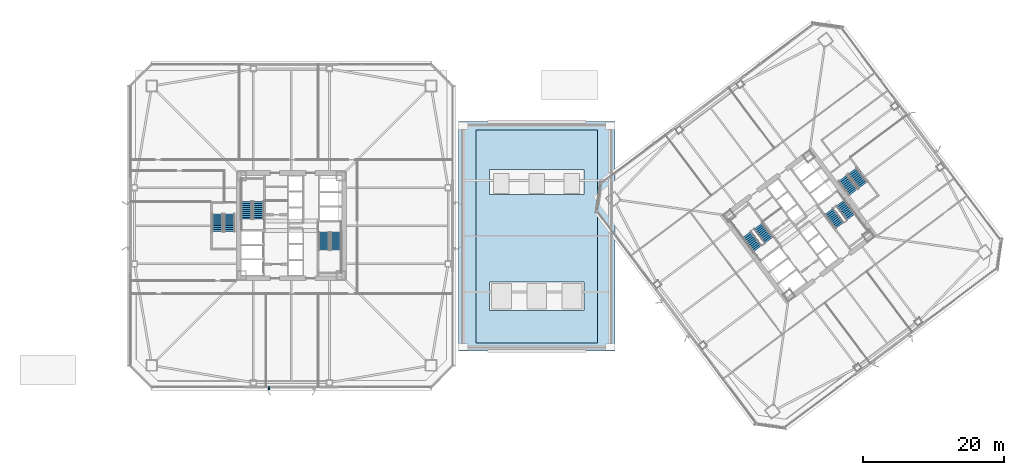
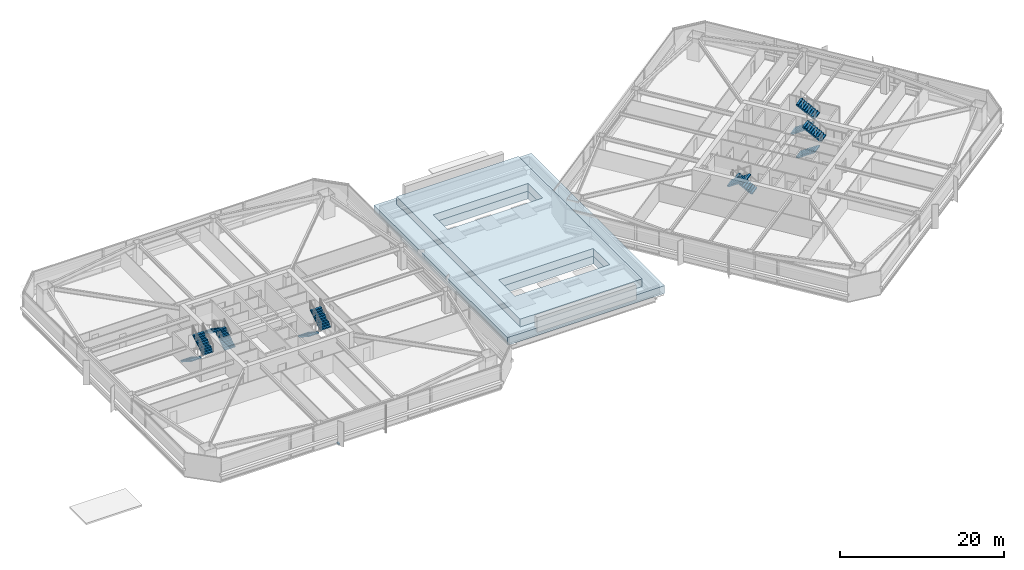
# One storey, part 48 of 62: 12 stair flights, 2 roofs, 1 discrete accessory, 6 elements without a shape of their own.
"""IFC4 building model written with IfcOpenShell, lengths in metres."""

import ifcopenshell
import ifcopenshell.guid

model = None  # the IFC model being written
_history = None  # IfcOwnerHistory: only IFC2X3 demands one
_inside = {}  # id of a spatial element -> (the spatial element, [elements in it])
_under = {}  # id of a project, library or spatial element -> (it, [spatial elements below it])
_declared = {}  # id of a project -> (the project, [libraries it declares])
_typed = {}  # id of a type object -> (the type object, [elements of that type])
_made_of = {}  # id of a material, layer set ... -> (it, [elements and type objects made of it])


def new_model(schema):
    """Start an empty IFC model of exactly this schema.

    Asked for "IFC4X3", IfcOpenShell would pick the latest addendum, in which some entities
    have other attributes; the version numbers below select the first issue.
    IFC2X3 requires an IfcOwnerHistory on every rooted entity: one is made here for all.
    """
    global model, _history
    if schema == "IFC4X3":
        model = ifcopenshell.file(schema_version=(4, 3, 0, 0))
    else:
        model = ifcopenshell.file(schema=schema)
    _inside.clear()
    _under.clear()
    _declared.clear()
    _typed.clear()
    _made_of.clear()
    _history = None
    if model.schema == "IFC2X3":
        org = make("IfcOrganization", Name="unknown")
        user = make(
            "IfcPersonAndOrganization",
            ThePerson=make("IfcPerson", FamilyName="unknown"),
            TheOrganization=org,
        )
        app = make(
            "IfcApplication",
            ApplicationDeveloper=org,
            Version="unknown",
            ApplicationFullName="unknown",
            ApplicationIdentifier="unknown",
        )
        _history = make(
            "IfcOwnerHistory",
            OwningUser=user,
            OwningApplication=app,
            ChangeAction="ADDED",
            CreationDate=0,
        )
    return model


def make(cls, **values):
    """One entity of the class cls with the attributes given. An attribute that is None is left unset."""
    return model.create_entity(
        cls, **{name: value for name, value in values.items() if value is not None}
    )


def rooted(cls, **values):
    """An entity with a GlobalId (a new one), such as an element, a storey or a relation."""
    return make(cls, GlobalId=ifcopenshell.guid.new(), OwnerHistory=_history, **values)


def si_unit(unit_type, name, prefix=None):
    """IfcSIUnit, for example si_unit("LENGTHUNIT", "METRE", prefix="MILLI")."""
    return make("IfcSIUnit", UnitType=unit_type, Prefix=prefix, Name=name)


def assignment(units):
    """IfcUnitAssignment: the units of a project."""
    return None if units is None else make("IfcUnitAssignment", Units=units)


def point(xyz):
    """IfcCartesianPoint."""
    return None if xyz is None else make("IfcCartesianPoint", Coordinates=xyz)


def direction(xyz):
    """IfcDirection."""
    return None if xyz is None else make("IfcDirection", DirectionRatios=xyz)


def frame(location, z_axis=None, x_axis=None):
    """IfcAxis2Placement3D, a coordinate frame: its origin and axes. An axis left out is left unset."""
    return make(
        "IfcAxis2Placement3D",
        Location=point(location),
        Axis=direction(z_axis),
        RefDirection=direction(x_axis),
    )


def frame_2d(location, x_axis=None):
    """IfcAxis2Placement2D, a coordinate frame in the plane: its origin and x axis."""
    return make(
        "IfcAxis2Placement2D", Location=point(location), RefDirection=direction(x_axis)
    )


def origin():
    """The frame at (0, 0, 0) with its axes left unset."""
    return frame((0.0, 0.0, 0.0))


def origin_2d():
    """The frame at (0, 0) in the plane with its x axis left unset."""
    return frame_2d((0.0, 0.0))


def place(relative_to, where):
    """IfcLocalPlacement: puts the frame where relative to a parent placement (None: the world)."""
    return make(
        "IfcLocalPlacement", PlacementRelTo=relative_to, RelativePlacement=where
    )


def context(
    kind, dimensions, precision=None, world=None, true_north=None, identifier=None
):
    """IfcGeometricRepresentationContext, for example the 3D "Model" context."""
    return make(
        "IfcGeometricRepresentationContext",
        ContextIdentifier=identifier,
        ContextType=kind,
        CoordinateSpaceDimension=dimensions,
        Precision=precision,
        WorldCoordinateSystem=world,
        TrueNorth=true_north,
    )


def subcontext(parent, identifier, kind, view, scale=None):
    """IfcGeometricRepresentationSubContext, for example "Body" below "Model"."""
    return make(
        "IfcGeometricRepresentationSubContext",
        ContextIdentifier=identifier,
        ContextType=kind,
        ParentContext=parent,
        TargetScale=scale,
        TargetView=view,
    )


def project(units=None, contexts=None):
    """IfcProject with its units and contexts."""
    return rooted(
        "IfcProject",
        Name="project",
        RepresentationContexts=contexts,
        UnitsInContext=assignment(units),
    )


def spatial(cls, under=None, at=None, **own):
    """A site, building, storey or space (cls), placed at a placement, below another one or the project."""
    s = rooted(cls, ObjectPlacement=at, **own)
    if under is not None:
        _under.setdefault(under.id(), (under, []))[1].append(s)
    return s


def polyline(points):
    """IfcPolyline through the points."""
    return make("IfcPolyline", Points=[point(p) for p in points])


def profile(cls, at=None, kind="AREA", **sizes):
    """A parametric profile (cls). Its sizes go by their IFC names, for example OverallWidth=200.0."""
    return make(cls, ProfileType=kind, Position=at, **sizes)


def rectangle(**sizes):
    """IfcRectangleProfileDef."""
    return profile("IfcRectangleProfileDef", **sizes)


def outline(outer, holes=None, kind="AREA"):
    """IfcArbitraryClosedProfileDef: a profile drawn as a closed curve; with holes, ...WithVoids."""
    if holes is None:
        return make("IfcArbitraryClosedProfileDef", ProfileType=kind, OuterCurve=outer)
    return make(
        "IfcArbitraryProfileDefWithVoids",
        ProfileType=kind,
        OuterCurve=outer,
        InnerCurves=holes,
    )


def extrude(swept, where, along, depth):
    """IfcExtrudedAreaSolid: the profile swept, set in the frame where, extruded along a direction by depth."""
    return make(
        "IfcExtrudedAreaSolid",
        SweptArea=swept,
        Position=where,
        ExtrudedDirection=direction(along),
        Depth=depth,
    )


def shape(context_of_items, identifier, shape_type, items):
    """IfcShapeRepresentation: the items that make up one representation, for example the "Body"."""
    return make(
        "IfcShapeRepresentation",
        ContextOfItems=context_of_items,
        RepresentationIdentifier=identifier,
        RepresentationType=shape_type,
        Items=items,
    )


def material(Name=None, Category=None):
    """IfcMaterial."""
    return make("IfcMaterial", Name=Name, Category=Category)


def layer(
    of_material, thickness, ventilated=None, Name=None, Category=None, Priority=None
):
    """IfcMaterialLayer: one layer of a wall or slab, of a material (None: an air gap)."""
    return make(
        "IfcMaterialLayer",
        Material=of_material,
        LayerThickness=thickness,
        IsVentilated=ventilated,
        Name=Name,
        Category=Category,
        Priority=Priority,
    )


def layer_set(layers, Name=None):
    """IfcMaterialLayerSet."""
    return make("IfcMaterialLayerSet", MaterialLayers=layers, LayerSetName=Name)


def made_of(thing, what):
    """Note that an element or type object is made of a material, layer set ...; save() writes the relation."""
    if what is not None:
        _made_of.setdefault(what.id(), (what, []))[1].append(thing)
    return thing


def type_object(cls, material=None, **own):
    """A type object (cls), such as IfcWallType, which elements share."""
    return made_of(rooted(cls, **own), material)


def element(
    cls,
    number,
    at=None,
    inside=None,
    cuts=None,
    type_object=None,
    material=None,
    context=None,
    identifier="Body",
    shape_type=None,
    held_by="IfcProductDefinitionShape",
    body=None,
    shapes=None,
    **own,
):
    """One element of the class cls, such as IfcWall. Its Tag is "e" and its number.

    at: its placement. inside: the storey or other place that contains it. cuts: it is an
    opening in that element (IfcRelVoidsElement). A single representation is given by context,
    identifier, shape_type and body (its items); several are given by shapes. held_by: the class
    of the entity that holds the representations. save() writes the other relations.
    """
    e = rooted(cls, Tag="e%d" % number, ObjectPlacement=at, **own)
    if body is not None:
        shapes = [shape(context, identifier, shape_type, body)]
    if shapes is not None:
        e.Representation = make(held_by, Representations=shapes)
    if inside is not None:
        _inside.setdefault(inside.id(), (inside, []))[1].append(e)
    if cuts is not None:
        rooted(
            "IfcRelVoidsElement", RelatingBuildingElement=cuts, RelatedOpeningElement=e
        )
    if type_object is not None:
        _typed.setdefault(type_object.id(), (type_object, []))[1].append(e)
    return made_of(e, material)


def aggregate(whole, parts):
    """IfcRelAggregates: a whole, such as a stair, and the parts it consists of."""
    return rooted("IfcRelAggregates", RelatingObject=whole, RelatedObjects=parts)


def save(model, path):
    """Write the relations noted so far, then the file.

    IfcRelAggregates (storeys below a building ...), IfcRelContainedInSpatialStructure (elements
    in a storey), IfcRelDefinesByType, IfcRelAssociatesMaterial and IfcRelDeclares: one each for
    every whole, place, type object, material and project.
    """
    for whole, parts in _under.values():
        aggregate(whole, parts)
    for where, things in _inside.values():
        rooted(
            "IfcRelContainedInSpatialStructure",
            RelatedElements=things,
            RelatingStructure=where,
        )
    for kind, things in _typed.values():
        rooted("IfcRelDefinesByType", RelatedObjects=things, RelatingType=kind)
    for what, things in _made_of.values():
        rooted("IfcRelAssociatesMaterial", RelatedObjects=things, RelatingMaterial=what)
    for by, libraries in _declared.values():
        rooted("IfcRelDeclares", RelatingContext=by, RelatedDefinitions=libraries)
    model.write(path)


model = new_model("IFC4")

# Units and contexts
model_context = context("Model", 3, precision=1e-05, world=origin(), true_north=direction((0.0, 1.0)))
body_context = subcontext(model_context, "Body", "Model", "MODEL_VIEW")
ifc_project = project(units=[si_unit("LENGTHUNIT", "METRE"), si_unit("AREAUNIT", "SQUARE_METRE"), si_unit("VOLUMEUNIT", "CUBIC_METRE"), si_unit("PLANEANGLEUNIT", "RADIAN"), si_unit("MASSUNIT", "GRAM", prefix="KILO")], contexts=[model_context])

# Site, building, storey
site_placement = place(None, origin())
site = spatial("IfcSite", under=ifc_project, at=site_placement, CompositionType="ELEMENT")
building_placement = place(site_placement, origin())
building = spatial("IfcBuilding", under=site, at=building_placement, Name="Tashvorn Skyway Center", CompositionType="ELEMENT")
storey_placement = place(building_placement, frame((0.0, 0.0, 28.14990234375)))
storey = spatial("IfcBuildingStorey", under=building, at=storey_placement, Name="L06", CompositionType="ELEMENT", Elevation=28.14990234375)

# Stair, stair flights
ifc_material_1 = material(Name="Concrete C40/50", Category="concrete")
stair_type = type_object("IfcStairType", Name="STAIR-CORE-1500", PredefinedType="HALF_TURN_STAIR", material=ifc_material_1)
stair_1_placement = place(storey_placement, origin())
stair_1 = element("IfcStair", 1, at=stair_1_placement, inside=storey, type_object=stair_type, Name="L06 Tower 1 Exit Stair 1", PredefinedType="HALF_TURN_STAIR")
stair_flight_type = type_object("IfcStairFlightType", Name="SFLIGHT-1500", PredefinedType="STRAIGHT", material=ifc_material_1)
stair_flight_1_placement = place(storey_placement, frame((37.35009765625, 32.919921875, 0.0), z_axis=(0.0, 0.0, 1.0), x_axis=(0.0, 1.0, 0.0)))
stair_flight_1 = element("IfcStairFlight", 2, at=stair_flight_1_placement, type_object=stair_flight_type, Name="ST-T1-1 flight 1", NumberOfRisers=10, NumberOfTreads=9, PredefinedType="STRAIGHT", RiserHeight=0.1775, TreadLength=0.28, context=body_context, shape_type="SweptSolid", body=[
    extrude(outline(polyline([(0.0, 0.0), (0.0, 0.177490234375), (0.280029296875, 0.177490234375), (0.280029296875, 0.35498046875), (0.56005859375, 0.35498046875), (0.56005859375, 0.532470703125), (0.840087890625, 0.532470703125), (0.840087890625, 0.7099609375), (1.1201171875, 0.7099609375), (1.1201171875, 0.887451171875), (1.39990234375, 0.887451171875), (1.39990234375, 1.06494140625), (1.679931640625, 1.06494140625), (1.679931640625, 1.242431640625), (1.9599609375, 1.242431640625), (1.9599609375, 1.419921875), (2.239990234375, 1.419921875), (2.239990234375, 1.597412109375), (2.52001953125, 1.597412109375), (2.52001953125, 1.77490234375), (2.52001953125, 1.419921875), (0.280029296875, 0.0), (0.0, 0.0)])), frame((0.0, 0.75, 0.0), z_axis=(0.0, -1.0, 0.0), x_axis=(1.0, 0.0, 0.0)), (0.0, 0.0, 1.0), 1.5),
])
stair_flight_2_placement = place(storey_placement, frame((35.64990234375, 35.43994140625, 1.775146484375), z_axis=(0.0, 0.0, 1.0), x_axis=(0.0, -1.0, 0.0)))
stair_flight_2 = element("IfcStairFlight", 3, at=stair_flight_2_placement, type_object=stair_flight_type, Name="ST-T1-1 flight 2", NumberOfRisers=10, NumberOfTreads=9, PredefinedType="STRAIGHT", RiserHeight=0.1775, TreadLength=0.28, context=body_context, shape_type="SweptSolid", body=[
    extrude(outline(polyline([(0.0, 0.0), (0.0, 0.177490234375), (0.280029296875, 0.177490234375), (0.280029296875, 0.35498046875), (0.56005859375, 0.35498046875), (0.56005859375, 0.532470703125), (0.840087890625, 0.532470703125), (0.840087890625, 0.7099609375), (1.1201171875, 0.7099609375), (1.1201171875, 0.887451171875), (1.39990234375, 0.887451171875), (1.39990234375, 1.06494140625), (1.679931640625, 1.06494140625), (1.679931640625, 1.242431640625), (1.9599609375, 1.242431640625), (1.9599609375, 1.419921875), (2.239990234375, 1.419921875), (2.239990234375, 1.597412109375), (2.52001953125, 1.597412109375), (2.52001953125, 1.77490234375), (2.52001953125, 1.419921875), (0.280029296875, 0.0), (0.0, 0.0)])), frame((0.0, 0.75, 0.0), z_axis=(0.0, -1.0, 0.0), x_axis=(1.0, 0.0, 0.0)), (0.0, 0.0, 1.0), 1.5),
])
aggregate(stair_1, [stair_flight_1, stair_flight_2])

stair_2_placement = place(storey_placement, origin())
stair_2 = element("IfcStair", 4, at=stair_2_placement, inside=storey, type_object=stair_type, Name="L06 Tower 1 Exit Stair 2", PredefinedType="HALF_TURN_STAIR")
stair_flight_3_placement = place(storey_placement, frame((46.64990234375, 31.080078125, 0.0), z_axis=(0.0, 0.0, 1.0), x_axis=(0.0, -1.0, 0.0)))
stair_flight_3 = element("IfcStairFlight", 5, at=stair_flight_3_placement, type_object=stair_flight_type, Name="ST-T1-2 flight 1", NumberOfRisers=10, NumberOfTreads=9, PredefinedType="STRAIGHT", RiserHeight=0.1775, TreadLength=0.28, context=body_context, shape_type="SweptSolid", body=[
    extrude(outline(polyline([(0.0, 0.0), (0.0, 0.177490234375), (0.280029296875, 0.177490234375), (0.280029296875, 0.35498046875), (0.56005859375, 0.35498046875), (0.56005859375, 0.532470703125), (0.840087890625, 0.532470703125), (0.840087890625, 0.7099609375), (1.1201171875, 0.7099609375), (1.1201171875, 0.887451171875), (1.39990234375, 0.887451171875), (1.39990234375, 1.06494140625), (1.679931640625, 1.06494140625), (1.679931640625, 1.242431640625), (1.9599609375, 1.242431640625), (1.9599609375, 1.419921875), (2.239990234375, 1.419921875), (2.239990234375, 1.597412109375), (2.52001953125, 1.597412109375), (2.52001953125, 1.77490234375), (2.52001953125, 1.419921875), (0.280029296875, 0.0), (0.0, 0.0)])), frame((0.0, 0.75, 0.0), z_axis=(0.0, -1.0, 0.0), x_axis=(1.0, 0.0, 0.0)), (0.0, 0.0, 1.0), 1.5),
])
stair_flight_4_placement = place(storey_placement, frame((48.35009765625, 28.56005859375, 1.775146484375), z_axis=(0.0, 0.0, 1.0), x_axis=(0.0, 1.0, 0.0)))
stair_flight_4 = element("IfcStairFlight", 6, at=stair_flight_4_placement, type_object=stair_flight_type, Name="ST-T1-2 flight 2", NumberOfRisers=10, NumberOfTreads=9, PredefinedType="STRAIGHT", RiserHeight=0.1775, TreadLength=0.28, context=body_context, shape_type="SweptSolid", body=[
    extrude(outline(polyline([(0.0, 0.0), (0.0, 0.177490234375), (0.280029296875, 0.177490234375), (0.280029296875, 0.35498046875), (0.56005859375, 0.35498046875), (0.56005859375, 0.532470703125), (0.840087890625, 0.532470703125), (0.840087890625, 0.7099609375), (1.1201171875, 0.7099609375), (1.1201171875, 0.887451171875), (1.39990234375, 0.887451171875), (1.39990234375, 1.06494140625), (1.679931640625, 1.06494140625), (1.679931640625, 1.242431640625), (1.9599609375, 1.242431640625), (1.9599609375, 1.419921875), (2.239990234375, 1.419921875), (2.239990234375, 1.597412109375), (2.52001953125, 1.597412109375), (2.52001953125, 1.77490234375), (2.52001953125, 1.419921875), (0.280029296875, 0.0), (0.0, 0.0)])), frame((0.0, 0.75, 0.0), z_axis=(0.0, -1.0, 0.0), x_axis=(1.0, 0.0, 0.0)), (0.0, 0.0, 1.0), 1.5),
])
aggregate(stair_2, [stair_flight_3, stair_flight_4])

stair_3_placement = place(storey_placement, origin())
stair_3 = element("IfcStair", 7, at=stair_3_placement, inside=storey, type_object=stair_type, Name="L06 Tower 2 Exit Stair 1", PredefinedType="HALF_TURN_STAIR")
stair_flight_5_placement = place(storey_placement, frame((109.72802734375, 29.946044921875, 0.0), z_axis=(0.0, 0.0, 1.0), x_axis=(-0.600000004945, 0.799999996291, 0.0)))
stair_flight_5 = element("IfcStairFlight", 8, at=stair_flight_5_placement, type_object=stair_flight_type, Name="ST-T2-1 flight 1", NumberOfRisers=10, NumberOfTreads=9, PredefinedType="STRAIGHT", RiserHeight=0.1775, TreadLength=0.28, context=body_context, shape_type="SweptSolid", body=[
    extrude(outline(polyline([(0.0, 0.0), (0.0, 0.177490234375), (0.280029296875, 0.177490234375), (0.280029296875, 0.35498046875), (0.56005859375, 0.35498046875), (0.56005859375, 0.532470703125), (0.840087890625, 0.532470703125), (0.840087890625, 0.7099609375), (1.1201171875, 0.7099609375), (1.1201171875, 0.887451171875), (1.39990234375, 0.887451171875), (1.39990234375, 1.06494140625), (1.679931640625, 1.06494140625), (1.679931640625, 1.242431640625), (1.9599609375, 1.242431640625), (1.9599609375, 1.419921875), (2.239990234375, 1.419921875), (2.239990234375, 1.597412109375), (2.52001953125, 1.597412109375), (2.52001953125, 1.77490234375), (2.52001953125, 1.419921875), (0.280029296875, 0.0), (0.0, 0.0)])), frame((0.0, 0.75, 0.0), z_axis=(0.0, -1.0, 0.0), x_axis=(1.0, 0.0, 0.0)), (0.0, 0.0, 1.0), 1.5),
])
stair_flight_6_placement = place(storey_placement, frame((106.632080078125, 30.77392578125, 1.775146484375), z_axis=(0.0, 0.0, 1.0), x_axis=(0.600000004945, -0.799999996291, 0.0)))
stair_flight_6 = element("IfcStairFlight", 9, at=stair_flight_6_placement, type_object=stair_flight_type, Name="ST-T2-1 flight 2", NumberOfRisers=10, NumberOfTreads=9, PredefinedType="STRAIGHT", RiserHeight=0.1775, TreadLength=0.28, context=body_context, shape_type="SweptSolid", body=[
    extrude(outline(polyline([(0.0, 0.0), (0.0, 0.177490234375), (0.280029296875, 0.177490234375), (0.280029296875, 0.35498046875), (0.56005859375, 0.35498046875), (0.56005859375, 0.532470703125), (0.840087890625, 0.532470703125), (0.840087890625, 0.7099609375), (1.1201171875, 0.7099609375), (1.1201171875, 0.887451171875), (1.39990234375, 0.887451171875), (1.39990234375, 1.06494140625), (1.679931640625, 1.06494140625), (1.679931640625, 1.242431640625), (1.9599609375, 1.242431640625), (1.9599609375, 1.419921875), (2.239990234375, 1.419921875), (2.239990234375, 1.597412109375), (2.52001953125, 1.597412109375), (2.52001953125, 1.77490234375), (2.52001953125, 1.419921875), (0.280029296875, 0.0), (0.0, 0.0)])), frame((0.0, 0.75, 0.0), z_axis=(0.0, -1.0, 0.0), x_axis=(1.0, 0.0, 0.0)), (0.0, 0.0, 1.0), 1.5),
])
aggregate(stair_3, [stair_flight_5, stair_flight_6])

stair_4_placement = place(storey_placement, origin())
stair_4 = element("IfcStair", 10, at=stair_4_placement, inside=storey, type_object=stair_type, Name="L06 Tower 2 Exit Stair 2", PredefinedType="HALF_TURN_STAIR")
stair_flight_7_placement = place(storey_placement, frame((118.27197265625, 34.053955078125, 0.0), z_axis=(0.0, 0.0, 1.0), x_axis=(0.600000004945, -0.799999996291, 0.0)))
stair_flight_7 = element("IfcStairFlight", 11, at=stair_flight_7_placement, type_object=stair_flight_type, Name="ST-T2-2 flight 1", NumberOfRisers=10, NumberOfTreads=9, PredefinedType="STRAIGHT", RiserHeight=0.1775, TreadLength=0.28, context=body_context, shape_type="SweptSolid", body=[
    extrude(outline(polyline([(0.0, 0.0), (0.0, 0.177490234375), (0.280029296875, 0.177490234375), (0.280029296875, 0.35498046875), (0.56005859375, 0.35498046875), (0.56005859375, 0.532470703125), (0.840087890625, 0.532470703125), (0.840087890625, 0.7099609375), (1.1201171875, 0.7099609375), (1.1201171875, 0.887451171875), (1.39990234375, 0.887451171875), (1.39990234375, 1.06494140625), (1.679931640625, 1.06494140625), (1.679931640625, 1.242431640625), (1.9599609375, 1.242431640625), (1.9599609375, 1.419921875), (2.239990234375, 1.419921875), (2.239990234375, 1.597412109375), (2.52001953125, 1.597412109375), (2.52001953125, 1.77490234375), (2.52001953125, 1.419921875), (0.280029296875, 0.0), (0.0, 0.0)])), frame((0.0, 0.75, 0.0), z_axis=(0.0, -1.0, 0.0), x_axis=(1.0, 0.0, 0.0)), (0.0, 0.0, 1.0), 1.5),
])
stair_flight_8_placement = place(storey_placement, frame((121.367919921875, 33.22607421875, 1.775146484375), z_axis=(0.0, 0.0, 1.0), x_axis=(-0.600000004945, 0.799999996291, 0.0)))
stair_flight_8 = element("IfcStairFlight", 12, at=stair_flight_8_placement, type_object=stair_flight_type, Name="ST-T2-2 flight 2", NumberOfRisers=10, NumberOfTreads=9, PredefinedType="STRAIGHT", RiserHeight=0.1775, TreadLength=0.28, context=body_context, shape_type="SweptSolid", body=[
    extrude(outline(polyline([(0.0, 0.0), (0.0, 0.177490234375), (0.280029296875, 0.177490234375), (0.280029296875, 0.35498046875), (0.56005859375, 0.35498046875), (0.56005859375, 0.532470703125), (0.840087890625, 0.532470703125), (0.840087890625, 0.7099609375), (1.1201171875, 0.7099609375), (1.1201171875, 0.887451171875), (1.39990234375, 0.887451171875), (1.39990234375, 1.06494140625), (1.679931640625, 1.06494140625), (1.679931640625, 1.242431640625), (1.9599609375, 1.242431640625), (1.9599609375, 1.419921875), (2.239990234375, 1.419921875), (2.239990234375, 1.597412109375), (2.52001953125, 1.597412109375), (2.52001953125, 1.77490234375), (2.52001953125, 1.419921875), (0.280029296875, 0.0), (0.0, 0.0)])), frame((0.0, 0.75, 0.0), z_axis=(0.0, -1.0, 0.0), x_axis=(1.0, 0.0, 0.0)), (0.0, 0.0, 1.0), 1.5),
])
aggregate(stair_4, [stair_flight_7, stair_flight_8])

stair_5_placement = place(storey_placement, origin())
stair_5 = element("IfcStair", 13, at=stair_5_placement, inside=storey, type_object=stair_type, Name="L06 Tower 1 Exit Stair 3", PredefinedType="HALF_TURN_STAIR")
stair_flight_9_placement = place(storey_placement, frame((31.550048828125, 33.679931640625, 0.0), z_axis=(0.0, 0.0, 1.0), x_axis=(0.0, -1.0, 0.0)))
stair_flight_9 = element("IfcStairFlight", 14, at=stair_flight_9_placement, type_object=stair_flight_type, Name="ST-T1-3 flight 1", NumberOfRisers=10, NumberOfTreads=9, PredefinedType="STRAIGHT", RiserHeight=0.1775, TreadLength=0.28, context=body_context, shape_type="SweptSolid", body=[
    extrude(outline(polyline([(0.0, 0.0), (0.0, 0.177490234375), (0.280029296875, 0.177490234375), (0.280029296875, 0.35498046875), (0.56005859375, 0.35498046875), (0.56005859375, 0.532470703125), (0.840087890625, 0.532470703125), (0.840087890625, 0.7099609375), (1.1201171875, 0.7099609375), (1.1201171875, 0.887451171875), (1.39990234375, 0.887451171875), (1.39990234375, 1.06494140625), (1.679931640625, 1.06494140625), (1.679931640625, 1.242431640625), (1.9599609375, 1.242431640625), (1.9599609375, 1.419921875), (2.239990234375, 1.419921875), (2.239990234375, 1.597412109375), (2.52001953125, 1.597412109375), (2.52001953125, 1.77490234375), (2.52001953125, 1.419921875), (0.280029296875, 0.0), (0.0, 0.0)])), frame((0.0, 0.75, 0.0), z_axis=(0.0, -1.0, 0.0), x_axis=(1.0, 0.0, 0.0)), (0.0, 0.0, 1.0), 1.5),
])
stair_flight_10_placement = place(storey_placement, frame((33.25, 31.159912109375, 1.775146484375), z_axis=(0.0, 0.0, 1.0), x_axis=(0.0, 1.0, 0.0)))
stair_flight_10 = element("IfcStairFlight", 15, at=stair_flight_10_placement, type_object=stair_flight_type, Name="ST-T1-3 flight 2", NumberOfRisers=10, NumberOfTreads=9, PredefinedType="STRAIGHT", RiserHeight=0.1775, TreadLength=0.28, context=body_context, shape_type="SweptSolid", body=[
    extrude(outline(polyline([(0.0, 0.0), (0.0, 0.177490234375), (0.280029296875, 0.177490234375), (0.280029296875, 0.35498046875), (0.56005859375, 0.35498046875), (0.56005859375, 0.532470703125), (0.840087890625, 0.532470703125), (0.840087890625, 0.7099609375), (1.1201171875, 0.7099609375), (1.1201171875, 0.887451171875), (1.39990234375, 0.887451171875), (1.39990234375, 1.06494140625), (1.679931640625, 1.06494140625), (1.679931640625, 1.242431640625), (1.9599609375, 1.242431640625), (1.9599609375, 1.419921875), (2.239990234375, 1.419921875), (2.239990234375, 1.597412109375), (2.52001953125, 1.597412109375), (2.52001953125, 1.77490234375), (2.52001953125, 1.419921875), (0.280029296875, 0.0), (0.0, 0.0)])), frame((0.0, 0.75, 0.0), z_axis=(0.0, -1.0, 0.0), x_axis=(1.0, 0.0, 0.0)), (0.0, 0.0, 1.0), 1.5),
])
aggregate(stair_5, [stair_flight_9, stair_flight_10])

stair_6_placement = place(storey_placement, origin())
stair_6 = element("IfcStair", 16, at=stair_6_placement, inside=storey, type_object=stair_type, Name="L06 Tower 2 Exit Stair 3", PredefinedType="HALF_TURN_STAIR")
stair_flight_11_placement = place(storey_placement, frame((120.216064453125, 38.761962890625, 0.0), z_axis=(0.0, 0.0, 1.0), x_axis=(0.600000004945, -0.799999996291, 0.0)))
stair_flight_11 = element("IfcStairFlight", 17, at=stair_flight_11_placement, type_object=stair_flight_type, Name="ST-T2-3 flight 1", NumberOfRisers=10, NumberOfTreads=9, PredefinedType="STRAIGHT", RiserHeight=0.1775, TreadLength=0.28, context=body_context, shape_type="SweptSolid", body=[
    extrude(outline(polyline([(0.0, 0.0), (0.0, 0.177490234375), (0.280029296875, 0.177490234375), (0.280029296875, 0.35498046875), (0.56005859375, 0.35498046875), (0.56005859375, 0.532470703125), (0.840087890625, 0.532470703125), (0.840087890625, 0.7099609375), (1.1201171875, 0.7099609375), (1.1201171875, 0.887451171875), (1.39990234375, 0.887451171875), (1.39990234375, 1.06494140625), (1.679931640625, 1.06494140625), (1.679931640625, 1.242431640625), (1.9599609375, 1.242431640625), (1.9599609375, 1.419921875), (2.239990234375, 1.419921875), (2.239990234375, 1.597412109375), (2.52001953125, 1.597412109375), (2.52001953125, 1.77490234375), (2.52001953125, 1.419921875), (0.280029296875, 0.0), (0.0, 0.0)])), frame((0.0, 0.75, 0.0), z_axis=(0.0, -1.0, 0.0), x_axis=(1.0, 0.0, 0.0)), (0.0, 0.0, 1.0), 1.5),
])
stair_flight_12_placement = place(storey_placement, frame((123.087890625, 37.76611328125, 1.775146484375), z_axis=(0.0, 0.0, 1.0), x_axis=(-0.600000004945, 0.799999996291, 0.0)))
stair_flight_12 = element("IfcStairFlight", 18, at=stair_flight_12_placement, type_object=stair_flight_type, Name="ST-T2-3 flight 2", NumberOfRisers=10, NumberOfTreads=9, PredefinedType="STRAIGHT", RiserHeight=0.1775, TreadLength=0.28, context=body_context, shape_type="SweptSolid", body=[
    extrude(outline(polyline([(0.0, 0.0), (0.0, 0.177490234375), (0.280029296875, 0.177490234375), (0.280029296875, 0.35498046875), (0.56005859375, 0.35498046875), (0.56005859375, 0.532470703125), (0.840087890625, 0.532470703125), (0.840087890625, 0.7099609375), (1.1201171875, 0.7099609375), (1.1201171875, 0.887451171875), (1.39990234375, 0.887451171875), (1.39990234375, 1.06494140625), (1.679931640625, 1.06494140625), (1.679931640625, 1.242431640625), (1.9599609375, 1.242431640625), (1.9599609375, 1.419921875), (2.239990234375, 1.419921875), (2.239990234375, 1.597412109375), (2.52001953125, 1.597412109375), (2.52001953125, 1.77490234375), (2.52001953125, 1.419921875), (0.280029296875, 0.0), (0.0, 0.0)])), frame((0.0, 0.75, 0.0), z_axis=(0.0, -1.0, 0.0), x_axis=(1.0, 0.0, 0.0)), (0.0, 0.0, 1.0), 1.5),
])
aggregate(stair_6, [stair_flight_11, stair_flight_12])

# Roofs
ifc_material_2 = material(Name="Architectural glazed Mojave terracotta roof and cornice system", Category="masonry")
ifc_layer = layer(ifc_material_2, 0.419921875)
ifc_layer_set = layer_set([ifc_layer], Name="Architectural glazed Mojave terracotta roof and cornice system")
roof_type = type_object("IfcRoofType", Name="ROOF-STN-VAULT", PredefinedType="BARREL_ROOF", material=ifc_layer_set)
roof_1_placement = place(storey_placement, frame((0.0, 0.0, 1.9501953125)))
element("IfcRoof", 19, at=roof_1_placement, inside=storey, type_object=roof_type, Name="Rail Station Concourse Stepped Vault Roof Tier 1", PredefinedType="BARREL_ROOF", context=body_context, shape_type="SweptSolid", body=[
    extrude(outline(polyline([(65.699951171875, 14.199951171875), (87.89990234375, 14.199951171875), (87.89990234375, 46.800048828125), (65.699951171875, 46.800048828125), (65.699951171875, 14.199951171875)]), holes=[polyline([(70.10009765625, 20.0), (83.5, 20.0), (83.5, 24.0), (70.10009765625, 24.0), (70.10009765625, 20.0)]), polyline([(70.10009765625, 36.39990234375), (83.5, 36.39990234375), (83.5, 40.0), (70.10009765625, 40.0), (70.10009765625, 36.39990234375)])]), origin(), (0.0, 0.0, 1.0), 1.14990234375),
])
roof_2_placement = place(storey_placement, frame((0.0, 0.0, 3.10009765625)))
element("IfcRoof", 20, at=roof_2_placement, inside=storey, type_object=roof_type, Name="Rail Station Concourse Stepped Vault Roof Tier 2", PredefinedType="BARREL_ROOF", context=body_context, shape_type="SweptSolid", body=[
    extrude(outline(polyline([(68.199951171875, 15.39990234375), (85.39990234375, 15.39990234375), (85.39990234375, 45.60009765625), (68.199951171875, 45.60009765625), (68.199951171875, 15.39990234375)]), holes=[polyline([(70.10009765625, 20.0), (83.5, 20.0), (83.5, 24.0), (70.10009765625, 24.0), (70.10009765625, 20.0)]), polyline([(70.10009765625, 36.39990234375), (83.5, 36.39990234375), (83.5, 40.0), (70.10009765625, 40.0), (70.10009765625, 36.39990234375)])]), origin(), (0.0, 0.0, 1.0), 1.14990234375),
])

# Discrete accessory
ifc_material_3 = material(Name="Steel ASTM A572 Grade 50", Category="steel")
discrete_accessory_type = type_object("IfcDiscreteAccessoryType", Name="ACC-BRACKET-350", PredefinedType="BRACKET", material=ifc_material_3)
discrete_accessory_placement = place(storey_placement, frame((38.800048828125, 8.93994140625, -0.169921875), z_axis=(0.0, 0.0, 1.0), x_axis=(-1.0, 0.0, 0.0)))
element("IfcDiscreteAccessory", 21, at=discrete_accessory_placement, inside=storey, type_object=discrete_accessory_type, Name="Tower 1 L06 Solar Screen Fixing Bracket S1", PredefinedType="BRACKET", context=body_context, shape_type="SweptSolid", body=[
    extrude(rectangle(XDim=0.219970703125, YDim=0.43994140625, at=origin_2d()), origin(), (0.0, 0.0, 1.0), 0.219970703125),
])

save(model, "model.ifc")
